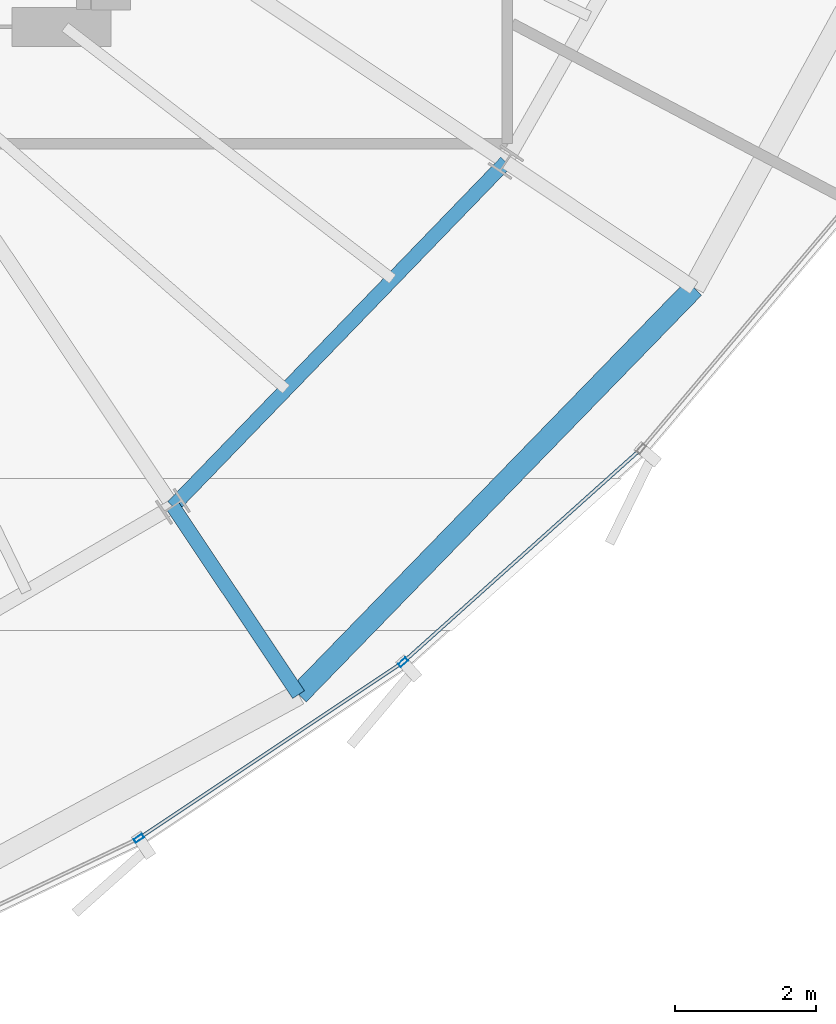
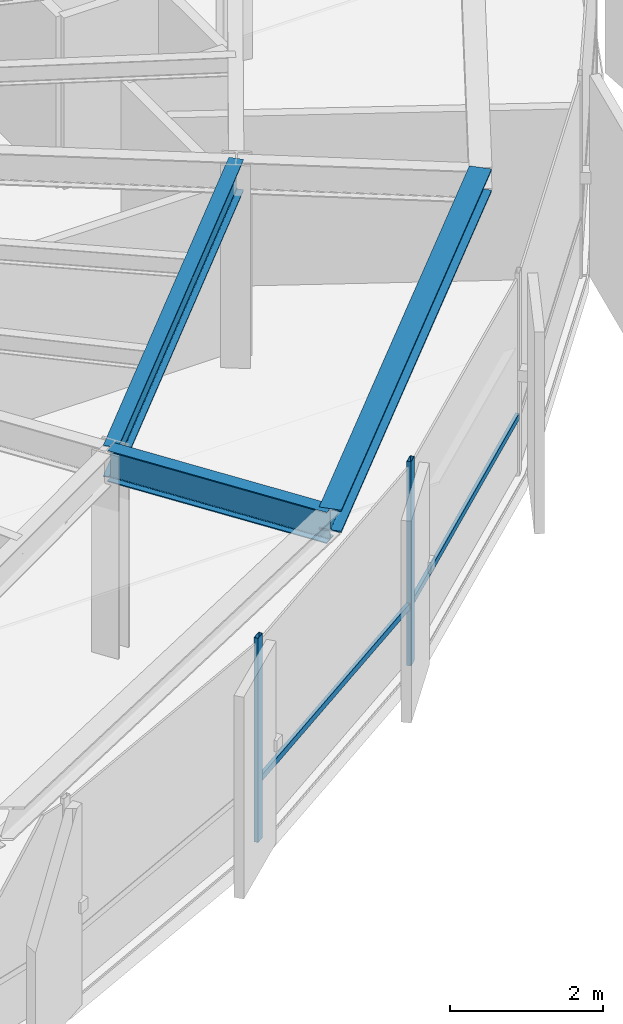
# One storey, part 13 of 34: 4 members, 3 beams, 1 element without a shape of its own.
"""IFC4 building model written with IfcOpenShell, lengths in metres."""

from ifc_helpers import new_model, si_unit, direction, frame, origin, origin_2d, place, context, subcontext, project, spatial, hollow_rectangle, i_section, extrude, source, transform, mapped, material, layer, layer_set, material_profile, profile_set, type_object, element, aggregate, save


model = new_model("IFC4")

# Units and contexts
model_context = context("Model", 3, precision=1e-05, world=origin(), true_north=direction((0.0, 1.0)))
body_context = subcontext(model_context, "Body", "Model", "MODEL_VIEW")
ifc_project = project(units=[si_unit("LENGTHUNIT", "METRE"), si_unit("AREAUNIT", "SQUARE_METRE"), si_unit("VOLUMEUNIT", "CUBIC_METRE"), si_unit("PLANEANGLEUNIT", "RADIAN"), si_unit("MASSUNIT", "GRAM", prefix="KILO"), si_unit("THERMODYNAMICTEMPERATUREUNIT", "KELVIN")], contexts=[model_context])

# Site, building, storey
site_placement = place(None, origin())
site = spatial("IfcSite", under=ifc_project, at=site_placement, CompositionType="ELEMENT")
building_placement = place(site_placement, origin())
building = spatial("IfcBuilding", under=site, at=building_placement, Name="Kethvar Cultural Tower", CompositionType="ELEMENT")
storey_placement = place(building_placement, frame((0.0, 0.0, 186.89990234375)))
storey = spatial("IfcBuildingStorey", under=building, at=storey_placement, Name="L48", CompositionType="ELEMENT", Elevation=186.89990234375)

# Beams
ifc_material_1 = material(Name="Steel S355J2", Category="steel")
ifc_material_profile_1 = material_profile(ifc_material_1, i_section(OverallWidth=0.199951171875, OverallDepth=0.5, WebThickness=0.01025390625, FlangeThickness=0.01611328125, FilletRadius=0.02099609375, at=origin_2d()), Name="Steel S355J2 — IPE500")
ifc_profile_set_1 = profile_set([ifc_material_profile_1], Name="Steel S355J2 — IPE500")
beam_type_1 = type_object("IfcBeamType", Name="BM-IPE500", PredefinedType="BEAM", material=ifc_profile_set_1)
shared_shape_1 = source(origin(), body_context, "Body", "SweptSolid", [
    extrude(i_section(OverallWidth=0.199951171875, OverallDepth=0.5, WebThickness=0.01025390625, FlangeThickness=0.01611328125, FilletRadius=0.02099609375, at=origin_2d()), origin(), (0.0, 0.0, 1.0), 3.199951171875),
])
beam_1_placement = place(storey_placement, frame((56.474609375, 13.32080078125, 3.008056640625), z_axis=(0.555580212716, -0.831462943996, 0.0), x_axis=(0.831462943996, 0.555580212716, 0.0)))
element("IfcBeam", 1, at=beam_1_placement, inside=storey, type_object=beam_type_1, Name="L48 Perimeter Cantilever Beam RC-14", PredefinedType="BEAM", context=body_context, shape_type="MappedRepresentation", body=[
    mapped(shared_shape_1, transform((0.0, 0.0, 0.0), scale=1.0)),
])
shared_shape_2 = source(origin(), body_context, "Body", "SweptSolid", [
    extrude(i_section(OverallWidth=0.199951171875, OverallDepth=0.5, WebThickness=0.01025390625, FlangeThickness=0.01611328125, FilletRadius=0.02099609375, at=origin_2d()), origin(), (0.0, 0.0, 1.0), 6.77294921875),
])
beam_2_placement = place(storey_placement, frame((56.474609375, 13.32080078125, 3.008056640625), z_axis=(0.695111533644, 0.718901909717, 0.0), x_axis=(-0.718901909717, 0.695111533644, 0.0)))
element("IfcBeam", 2, at=beam_2_placement, inside=storey, type_object=beam_type_1, Name="L48 Column Ring Tie Beam CR-14", PredefinedType="BEAM", context=body_context, shape_type="MappedRepresentation", body=[
    mapped(shared_shape_2, transform((0.0, 0.0, 0.0), scale=1.0)),
])
ifc_material_profile_2 = material_profile(ifc_material_1, i_section(OverallWidth=0.300048828125, OverallDepth=0.360107421875, WebThickness=0.012451171875, FlangeThickness=0.0224609375, FilletRadius=0.027099609375, at=origin_2d()), Name="Steel S355J2 — HEB360")
ifc_profile_set_2 = profile_set([ifc_material_profile_2], Name="Steel S355J2 — HEB360")
beam_type_2 = type_object("IfcBeamType", Name="BM-SP360", PredefinedType="SPANDREL", material=ifc_profile_set_2)
shared_shape_3 = source(origin(), body_context, "Body", "SweptSolid", [
    extrude(i_section(OverallWidth=0.300048828125, OverallDepth=0.360107421875, WebThickness=0.012451171875, FlangeThickness=0.0224609375, FilletRadius=0.027099609375, at=origin_2d()), origin(), (0.0, 0.0, 1.0), 8.021240234375),
])
beam_3_placement = place(storey_placement, frame((58.25244140625, 10.66015625, 3.078125), z_axis=(0.696991461782, 0.71707942531, 0.0), x_axis=(-0.71707942531, 0.696991461782, 0.0)))
element("IfcBeam", 3, at=beam_3_placement, inside=storey, type_object=beam_type_2, Name="L48 Perimeter Spandrel Beam SP-14", PredefinedType="SPANDREL", context=body_context, shape_type="MappedRepresentation", body=[
    mapped(shared_shape_3, transform((0.0, 0.0, 0.0), scale=1.0)),
])

# Curtain wall, members
ifc_material_2 = material(Name="Aluminium 6063-T6", Category="aluminium")
ifc_layer = layer(ifc_material_2, 0.179931640625, Name="Aluminium 6063-T6", Category="aluminium")
ifc_layer_set = layer_set([ifc_layer], Name="Aluminium 6063-T6 (180 mm)")
curtain_wall_type = type_object("IfcCurtainWallType", Name="CW-SYS-04-Z34", PredefinedType="NOTDEFINED", material=ifc_layer_set)
curtain_wall_placement = place(storey_placement, origin())
curtain_wall = element("IfcCurtainWall", 4, at=curtain_wall_placement, inside=storey, type_object=curtain_wall_type, Name="L48 Curtain Wall Run 05", PredefinedType="NOTDEFINED")
ifc_material_profile_3 = material_profile(ifc_material_2, hollow_rectangle(XDim=0.06005859375, YDim=0.139892578125, WallThickness=0.0048828125, at=origin_2d()), Name="Aluminium 6063-T6 — RHS140x60x5")
ifc_profile_set_3 = profile_set([ifc_material_profile_3], Name="Aluminium 6063-T6 — RHS140x60x5")
member_type_1 = type_object("IfcMemberType", Name="CW-SYS-04-Z34-MUL", PredefinedType="MULLION", material=ifc_profile_set_3)
shared_shape_4 = source(origin(), body_context, "Body", "SweptSolid", [
    extrude(hollow_rectangle(XDim=0.06005859375, YDim=0.139892578125, WallThickness=0.0048828125, at=origin_2d()), origin(), (0.0, 0.0, 1.0), 3.260009765625),
])
member_1_placement = place(storey_placement, frame((55.993896484375, 8.62744140625, 0.0), z_axis=(0.0, 0.0, 1.0), x_axis=(-0.554815386433, 0.831973489348, 0.0)))
member_1 = element("IfcMember", 5, at=member_1_placement, type_object=member_type_1, Name="CW-L48-R05 Mullion 3", PredefinedType="MULLION", context=body_context, shape_type="MappedRepresentation", body=[
    mapped(shared_shape_4, transform((0.0, 0.0, 0.0), scale=1.0)),
])
member_2_placement = place(storey_placement, frame((59.730224609375, 11.11767578125, 0.0), z_axis=(0.0, 0.0, 1.0), x_axis=(-0.66750772473, 0.744602872292, 0.0)))
member_2 = element("IfcMember", 6, at=member_2_placement, type_object=member_type_1, Name="CW-L48-R05 Mullion 4", PredefinedType="MULLION", context=body_context, shape_type="MappedRepresentation", body=[
    mapped(shared_shape_4, transform((0.0, 0.0, 0.0), scale=1.0)),
])
ifc_material_profile_4 = material_profile(ifc_material_2, hollow_rectangle(XDim=0.050048828125, YDim=0.10009765625, WallThickness=0.00390625, at=origin_2d()), Name="Aluminium 6063-T6 — RHS100x50x4")
ifc_profile_set_4 = profile_set([ifc_material_profile_4], Name="Aluminium 6063-T6 — RHS100x50x4")
member_type_2 = type_object("IfcMemberType", Name="CW-SYS-04-Z34-TRN", PredefinedType="USERDEFINED", material=ifc_profile_set_4)
shared_shape_5 = source(origin(), body_context, "Body", "SweptSolid", [
    extrude(hollow_rectangle(XDim=0.050048828125, YDim=0.10009765625, WallThickness=0.00390625, at=origin_2d()), origin(), (0.0, 0.0, 1.0), 4.419189453125),
])
member_3_placement = place(storey_placement, frame((56.02978515625, 8.651611328125, 0.9501953125), z_axis=(0.831999294849, 0.55477668784, 0.0), x_axis=(-0.55477668784, 0.831999294849, 0.0)))
member_3 = element("IfcMember", 7, at=member_3_placement, type_object=member_type_2, Name="CW-L48-R05 Transom 3", ObjectType="TRANSOM", PredefinedType="USERDEFINED", context=body_context, shape_type="MappedRepresentation", body=[
    mapped(shared_shape_5, transform((0.0, 0.0, 0.0), scale=1.0)),
])
shared_shape_6 = source(origin(), body_context, "Body", "SweptSolid", [
    extrude(hollow_rectangle(XDim=0.050048828125, YDim=0.10009765625, WallThickness=0.00390625, at=origin_2d()), origin(), (0.0, 0.0, 1.0), 4.44970703125),
])
member_4_placement = place(storey_placement, frame((59.76220703125, 11.146484375, 0.9501953125), z_axis=(0.744599531724, 0.667511451105, 0.0), x_axis=(-0.667511451105, 0.744599531724, 0.0)))
member_4 = element("IfcMember", 8, at=member_4_placement, type_object=member_type_2, Name="CW-L48-R05 Transom 4", ObjectType="TRANSOM", PredefinedType="USERDEFINED", context=body_context, shape_type="MappedRepresentation", body=[
    mapped(shared_shape_6, transform((0.0, 0.0, 0.0), scale=1.0)),
])
aggregate(curtain_wall, [member_1, member_2, member_3, member_4])

save(model, "model.ifc")
